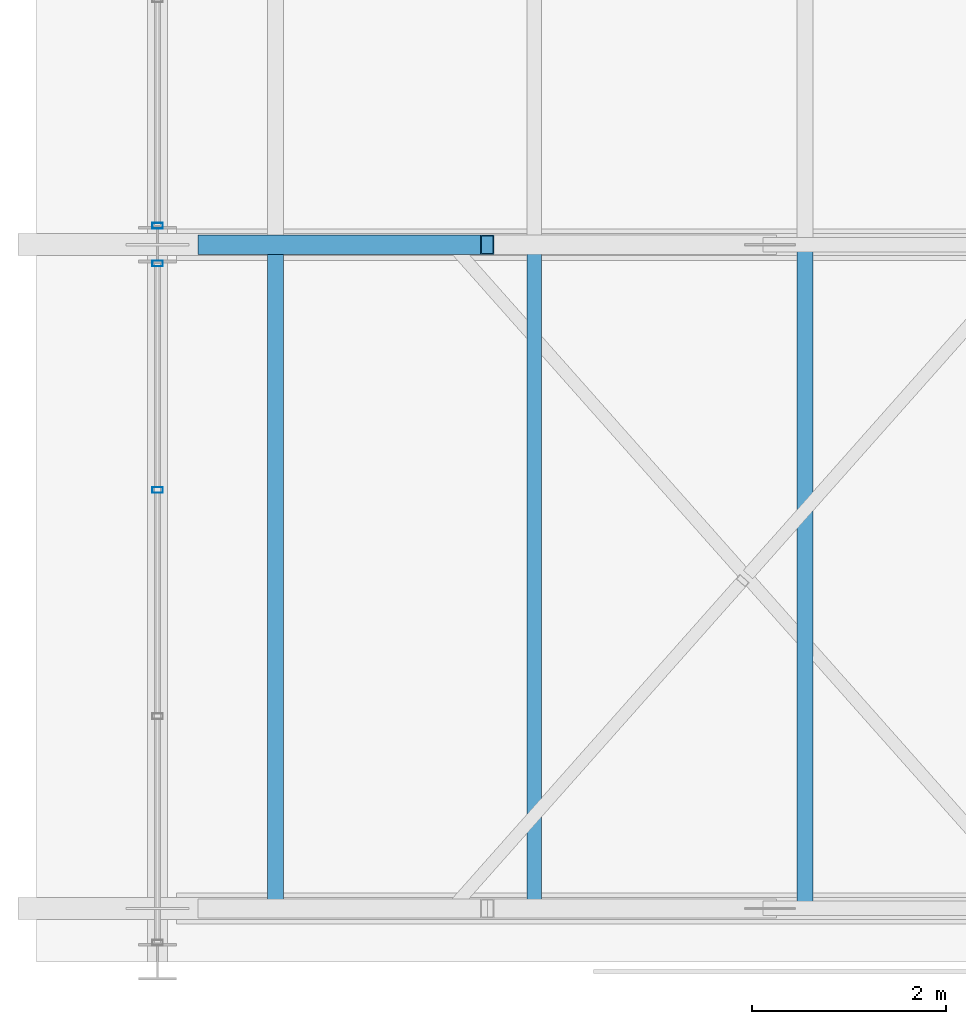
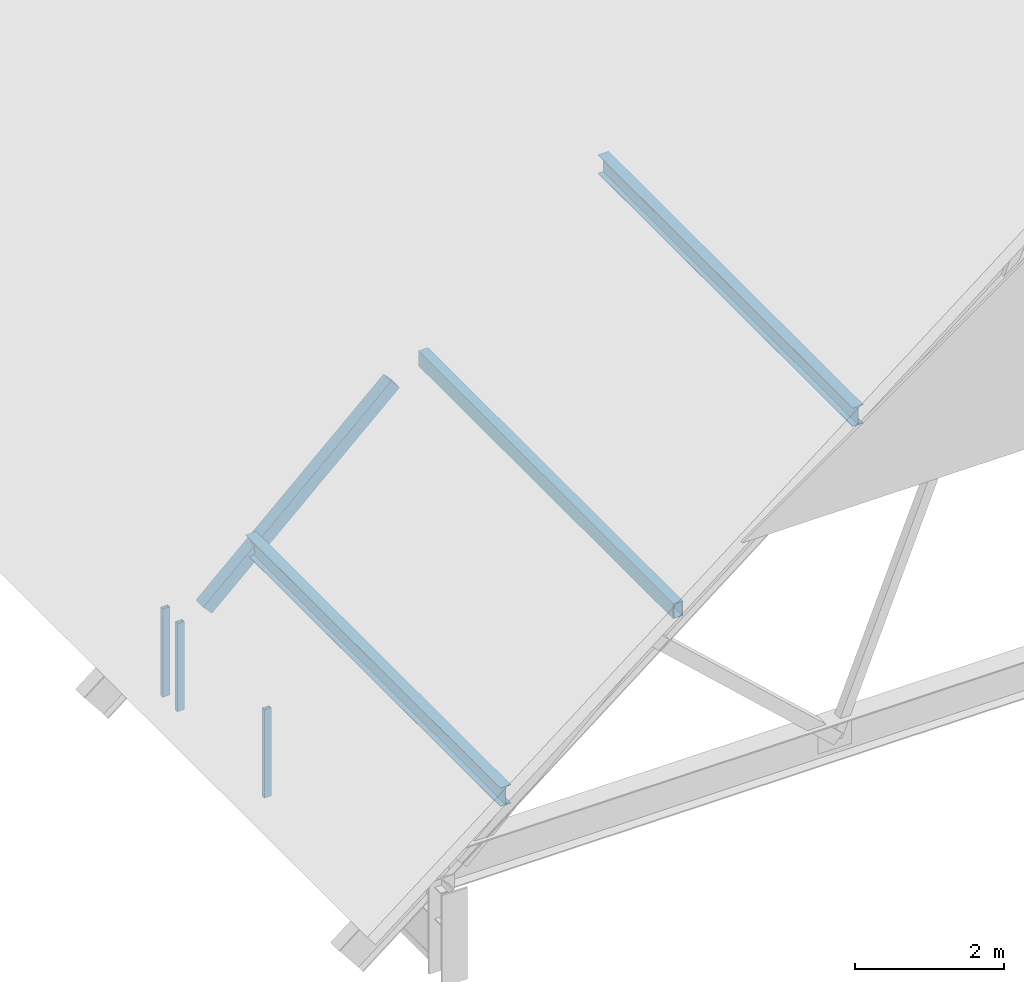
# One storey, part 5 of 44: 7 members, 2 elements without a shape of their own.
"""IFC4 building model written with IfcOpenShell, lengths in metres."""

from ifc_helpers import new_model, si_unit, direction, frame, origin, origin_2d, place, context, subcontext, project, spatial, hollow_rectangle, i_section, extrude, material, material_profile, profile_set, type_object, element, aggregate, save


model = new_model("IFC4")

# Units and contexts
model_context = context("Model", 3, precision=1e-05, world=origin(), true_north=direction((0.0, 1.0)))
body_context = subcontext(model_context, "Body", "Model", "MODEL_VIEW")
ifc_project = project(units=[si_unit("LENGTHUNIT", "METRE"), si_unit("AREAUNIT", "SQUARE_METRE"), si_unit("VOLUMEUNIT", "CUBIC_METRE"), si_unit("PLANEANGLEUNIT", "RADIAN"), si_unit("MASSUNIT", "GRAM", prefix="KILO")], contexts=[model_context])

# Site, building, storey
site_placement = place(None, origin())
site = spatial("IfcSite", under=ifc_project, at=site_placement, CompositionType="ELEMENT")
building_placement = place(site_placement, origin())
building = spatial("IfcBuilding", under=site, at=building_placement, Name="Cimatlan Art Gallery", CompositionType="ELEMENT")
storey_placement = place(building_placement, frame((0.0, 0.0, 26.39990234375)))
storey = spatial("IfcBuildingStorey", under=building, at=storey_placement, Name="Roof", CompositionType="ELEMENT", Elevation=26.39990234375)

# Curtain wall, members
ifc_material_1 = material(Name="Anodised bronze unitised curtain wall")
curtain_wall_type = type_object("IfcCurtainWallType", Name="CW-V-07010X01450-B3", PredefinedType="NOTDEFINED", material=ifc_material_1)
curtain_wall_1_placement = place(storey_placement, origin())
curtain_wall_1 = element("IfcCurtainWall", 1, at=curtain_wall_1_placement, inside=storey, type_object=curtain_wall_type, Name="CW-CRW-W-03", PredefinedType="NOTDEFINED")
ifc_material_2 = material(Name="Anodised bronze aluminium 6063-T6", Category="aluminium")
ifc_material_profile_1 = material_profile(ifc_material_2, hollow_rectangle(XDim=0.06005859375, YDim=0.110107421875, WallThickness=0.00341796875, at=origin_2d()), Name="ALU60X110X3")
ifc_profile_set_1 = profile_set([ifc_material_profile_1], Name="Anodised bronze aluminium 6063-T6")
member_type_1 = type_object("IfcMemberType", Name="CW-MUL-110", PredefinedType="MULLION", material=ifc_profile_set_1)
member_1_placement = place(storey_placement, frame((74.89990234375, 28.768310546875, 0.0), z_axis=(0.0, 0.0, 1.0), x_axis=(0.0, 1.0, 0.0)))
member_1 = element("IfcMember", 2, at=member_1_placement, type_object=member_type_1, Name="CW-CRW-W-03-M3", PredefinedType="MULLION", context=body_context, shape_type="SweptSolid", body=[
    extrude(hollow_rectangle(XDim=0.06005859375, YDim=0.110107421875, WallThickness=0.00341796875, at=origin_2d()), origin(), (0.0, 0.0, 1.0), 1.4501953125),
])
member_2_placement = place(storey_placement, frame((74.89990234375, 31.10498046875, 0.0), z_axis=(0.0, 0.0, 1.0), x_axis=(0.0, 1.0, 0.0)))
member_2 = element("IfcMember", 3, at=member_2_placement, type_object=member_type_1, Name="CW-CRW-W-03-M4", PredefinedType="MULLION", context=body_context, shape_type="SweptSolid", body=[
    extrude(hollow_rectangle(XDim=0.06005859375, YDim=0.110107421875, WallThickness=0.00341796875, at=origin_2d()), origin(), (0.0, 0.0, 1.0), 1.4501953125),
])
aggregate(curtain_wall_1, [member_1, member_2])

# Curtain wall, member
curtain_wall_2_placement = place(storey_placement, origin())
curtain_wall_2 = element("IfcCurtainWall", 4, at=curtain_wall_2_placement, inside=storey, type_object=curtain_wall_type, Name="CW-CRW-W-04", PredefinedType="NOTDEFINED")
member_3_placement = place(storey_placement, frame((74.89990234375, 31.4951171875, 0.0), z_axis=(0.0, 0.0, 1.0), x_axis=(0.0, 1.0, 0.0)))
member_3 = element("IfcMember", 5, at=member_3_placement, type_object=member_type_1, Name="CW-CRW-W-04-M1", PredefinedType="MULLION", context=body_context, shape_type="SweptSolid", body=[
    extrude(hollow_rectangle(XDim=0.06005859375, YDim=0.110107421875, WallThickness=0.00341796875, at=origin_2d()), origin(), (0.0, 0.0, 1.0), 1.4501953125),
])
aggregate(curtain_wall_2, [member_3])

# Members
ifc_material_3 = material(Name="Steel ASTM A500 Grade C", Category="steel")
ifc_material_profile_2 = material_profile(ifc_material_3, hollow_rectangle(XDim=0.14990234375, YDim=0.25, WallThickness=0.010009765625, at=origin_2d()), Name="HSS250X150X10")
ifc_profile_set_2 = profile_set([ifc_material_profile_2], Name="Steel ASTM A500 Grade C")
member_type_2 = type_object("IfcMemberType", Name="MBR-PUR-C250", PredefinedType="PURLIN", material=ifc_profile_set_2)
member_4_placement = place(storey_placement, frame((78.7880859375, 24.449951171875, 4.31201171875), z_axis=(0.0, 1.0, 0.0), x_axis=(-1.0, 0.0, 0.0)))
element("IfcMember", 6, at=member_4_placement, inside=storey, type_object=member_type_2, Name="PUR-V1-B1-W3", PredefinedType="PURLIN", context=body_context, shape_type="SweptSolid", body=[
    extrude(hollow_rectangle(XDim=0.14990234375, YDim=0.25, WallThickness=0.010009765625, at=origin_2d()), origin(), (0.0, 0.0, 1.0), 6.85009765625),
])
ifc_material_4 = material(Name="Steel ASTM A992 Grade 50", Category="steel")
ifc_material_profile_3 = material_profile(ifc_material_4, i_section(OverallWidth=0.1650390625, OverallDepth=0.31005859375, WebThickness=0.005859375, FlangeThickness=0.009765625, at=origin_2d()), Name="W12X26")
ifc_profile_set_3 = profile_set([ifc_material_profile_3], Name="Steel ASTM A992 Grade 50")
member_type_3 = type_object("IfcMemberType", Name="MBR-PUR-W12", PredefinedType="PURLIN", material=ifc_profile_set_3)
for number, where, z_axis, x_axis, name in (
    (7, (81.58251953125, 24.449951171875, 6.52001953125), (0.0, 1.0, 0.0), (-1.0, 0.0, 0.0), "PUR-V1-B1-W2"),
    (8, (76.114990234375, 24.449951171875, 2.2001953125), (0.0, 1.0, 0.0), (-1.0, 0.0, 0.0), "PUR-V1-B1-W4"),
):
    element("IfcMember", number, at=place(storey_placement, frame(where, z_axis=z_axis, x_axis=x_axis)), inside=storey, type_object=member_type_3, Name=name, PredefinedType="PURLIN", context=body_context, shape_type="SweptSolid", body=[
        extrude(i_section(OverallWidth=0.1650390625, OverallDepth=0.31005859375, WebThickness=0.005859375, FlangeThickness=0.009765625, at=origin_2d()), origin(), (0.0, 0.0, 1.0), 6.85009765625),
    ])
ifc_material_profile_4 = material_profile(ifc_material_3, hollow_rectangle(XDim=0.199951171875, YDim=0.199951171875, WallThickness=0.010009765625, at=origin_2d()), Name="HSS200X200X10")
ifc_profile_set_4 = profile_set([ifc_material_profile_4], Name="Steel ASTM A500 Grade C")
member_type_4 = type_object("IfcMemberType", Name="MBR-TRS-DIAG-1", PredefinedType="BRACE", material=ifc_profile_set_4)
member_5_placement = place(storey_placement, frame((75.385986328125, 31.300048828125, 1.400146484375), z_axis=(0.735270574228, 0.0, 0.677773695768), x_axis=(0.0, 1.0, 0.0)))
element("IfcMember", 9, at=member_5_placement, inside=storey, type_object=member_type_4, Name="TRS-02-DW-1", PredefinedType="BRACE", context=body_context, shape_type="SweptSolid", body=[
    extrude(hollow_rectangle(XDim=0.199951171875, YDim=0.199951171875, WallThickness=0.010009765625, at=origin_2d()), origin(), (0.0, 0.0, 1.0), 3.9658203125),
])

save(model, "model.ifc")
